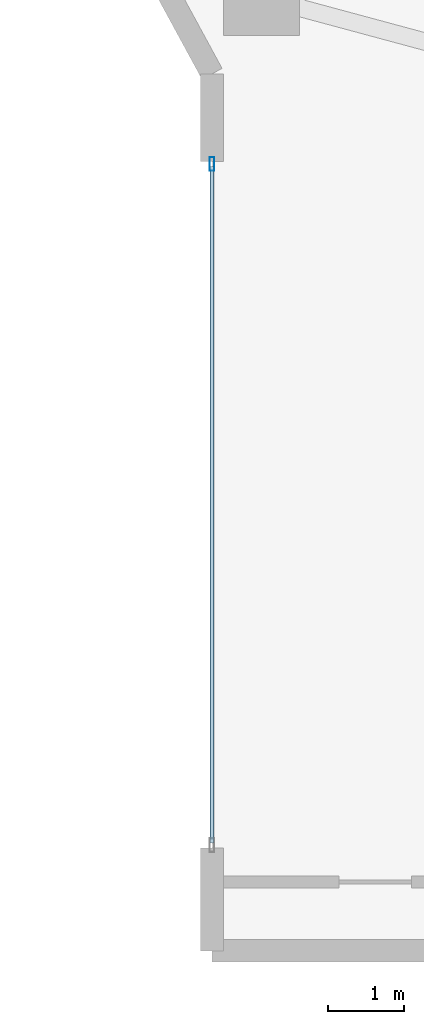
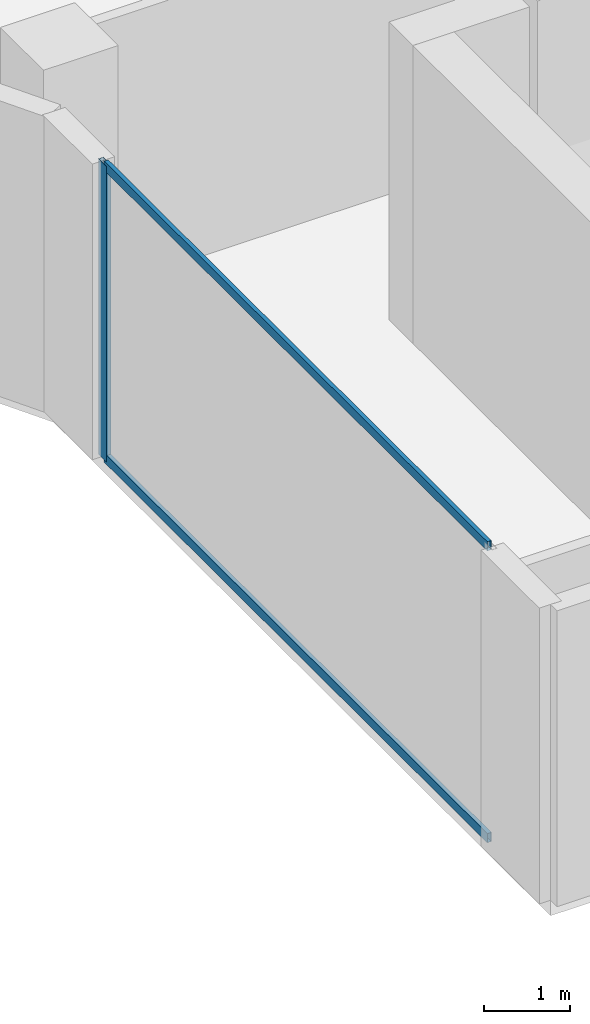
# One storey, part 3 of 23: 3 members, 1 element without a shape of its own.
"""IFC4 building model written with IfcOpenShell, lengths in metres."""

from ifc_helpers import new_model, si_unit, direction, frame, origin, origin_2d, place, context, subcontext, project, spatial, hollow_rectangle, extrude, material, layer, layer_set, material_profile, profile_set, type_object, element, aggregate, save


model = new_model("IFC4")

# Units and contexts
model_context = context("Model", 3, precision=1e-05, world=origin(), true_north=direction((0.0, 1.0)))
body_context = subcontext(model_context, "Body", "Model", "MODEL_VIEW")
ifc_project = project(units=[si_unit("LENGTHUNIT", "METRE"), si_unit("AREAUNIT", "SQUARE_METRE"), si_unit("VOLUMEUNIT", "CUBIC_METRE"), si_unit("PLANEANGLEUNIT", "RADIAN"), si_unit("MASSUNIT", "GRAM", prefix="KILO")], contexts=[model_context])

# Site, building, storey
site_placement = place(None, origin())
site = spatial("IfcSite", under=ifc_project, at=site_placement, CompositionType="ELEMENT")
building_placement = place(site_placement, origin())
building = spatial("IfcBuilding", under=site, at=building_placement, Name="Zuhayl Quay Hotel", CompositionType="ELEMENT")
storey_placement = place(building_placement, frame((0.0, 0.0, 288.449951171875)))
storey = spatial("IfcBuildingStorey", under=building, at=storey_placement, Name="L73", CompositionType="ELEMENT", Elevation=288.449951171875)

# Curtain wall, members
ifc_material_1 = material(Name="Anodised Aluminium 6063-T6", Category="aluminium")
ifc_layer = layer(ifc_material_1, 0.169921875, Name="Anodised Aluminium 6063-T6", Category="aluminium")
ifc_layer_set = layer_set([ifc_layer], Name="Anodised Aluminium 6063-T6")
curtain_wall_type = type_object("IfcCurtainWallType", Name="CW_SYS_Z4", PredefinedType="USERDEFINED", material=ifc_layer_set)
curtain_wall_placement = place(storey_placement, origin())
curtain_wall = element("IfcCurtainWall", 1, at=curtain_wall_placement, inside=storey, type_object=curtain_wall_type, Name="L73 Curtain Wall ENV_L73_E02_CW1", ObjectType="UNITISED CURTAIN WALL", PredefinedType="USERDEFINED")
ifc_material_2 = material(Name="Black-anodised aluminium 6063-T6", Category="aluminium")
ifc_material_profile_1 = material_profile(ifc_material_2, hollow_rectangle(XDim=0.06494140625, YDim=0.179931640625, WallThickness=0.00341796875, at=origin_2d()), Name="ALU180X65")
ifc_profile_set_1 = profile_set([ifc_material_profile_1], Name="Black-anodised aluminium 6063-T6")
member_type_1 = type_object("IfcMemberType", Name="MB_CW_MUL_180", PredefinedType="MULLION", material=ifc_profile_set_1)
member_1_placement = place(storey_placement, frame((-20.199951171875, 13.717529296875, 0.0), z_axis=(0.0, 0.0, 1.0), x_axis=(-1.0, 0.0, 0.0)))
member_1 = element("IfcMember", 2, at=member_1_placement, type_object=member_type_1, Name="CW-Z4 mullion 2", PredefinedType="MULLION", context=body_context, shape_type="SweptSolid", body=[
    extrude(hollow_rectangle(XDim=0.06494140625, YDim=0.179931640625, WallThickness=0.00341796875, at=origin_2d()), origin(), (0.0, 0.0, 1.0), 4.179931640625),
])
ifc_material_profile_2 = material_profile(ifc_material_2, hollow_rectangle(XDim=0.054931640625, YDim=0.1298828125, WallThickness=0.0029296875, at=origin_2d()), Name="ALU130X55")
ifc_profile_set_2 = profile_set([ifc_material_profile_2], Name="Black-anodised aluminium 6063-T6")
member_type_2 = type_object("IfcMemberType", Name="MB_CW_TRN_130", PredefinedType="USERDEFINED", material=ifc_profile_set_2)
member_2_placement = place(storey_placement, frame((-20.199951171875, 4.81494140625, 0.027587890625), z_axis=(0.0, 1.0, 0.0), x_axis=(-1.0, 0.0, 0.0)))
member_2 = element("IfcMember", 3, at=member_2_placement, type_object=member_type_2, Name="CW-Z4 transom 1.1", ObjectType="TRANSOM", PredefinedType="USERDEFINED", context=body_context, shape_type="SweptSolid", body=[
    extrude(hollow_rectangle(XDim=0.054931640625, YDim=0.1298828125, WallThickness=0.0029296875, at=origin_2d()), origin(), (0.0, 0.0, 1.0), 8.8701171875),
])
member_3_placement = place(storey_placement, frame((-20.199951171875, 4.81494140625, 4.152587890625), z_axis=(0.0, 1.0, 0.0), x_axis=(-1.0, 0.0, 0.0)))
member_3 = element("IfcMember", 4, at=member_3_placement, type_object=member_type_2, Name="CW-Z4 transom 1.2", ObjectType="TRANSOM", PredefinedType="USERDEFINED", context=body_context, shape_type="SweptSolid", body=[
    extrude(hollow_rectangle(XDim=0.054931640625, YDim=0.1298828125, WallThickness=0.0029296875, at=origin_2d()), origin(), (0.0, 0.0, 1.0), 8.8701171875),
])
aggregate(curtain_wall, [member_1, member_2, member_3])

save(model, "model.ifc")
